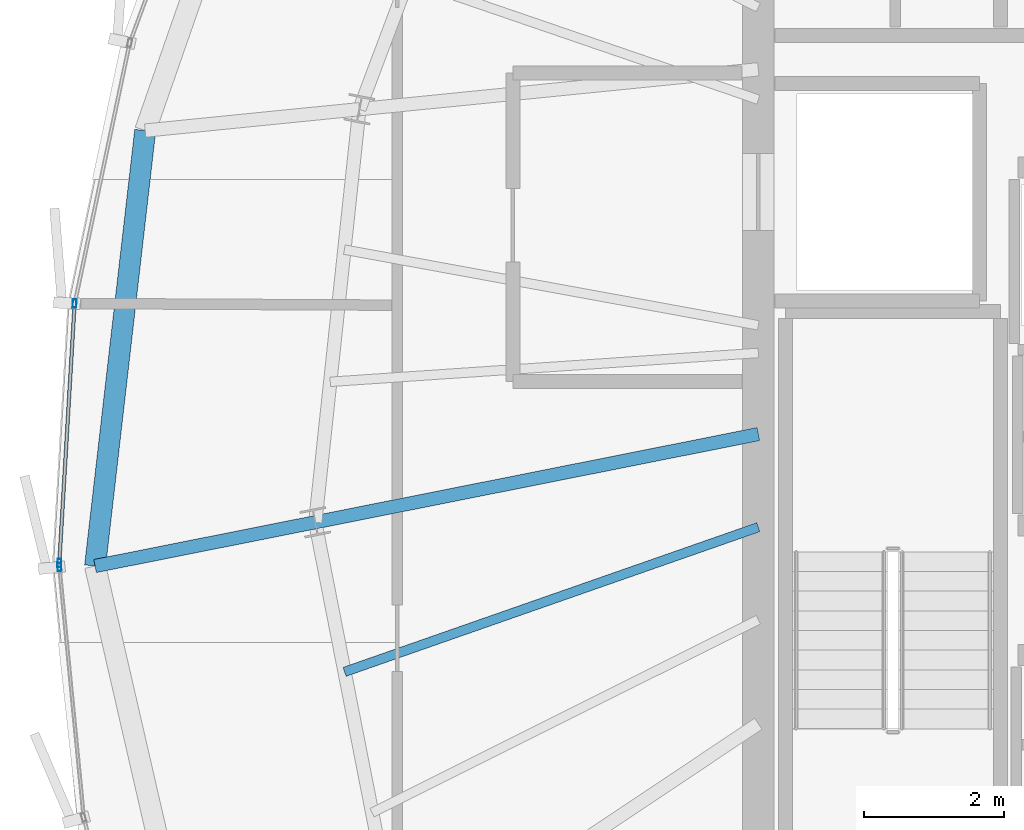
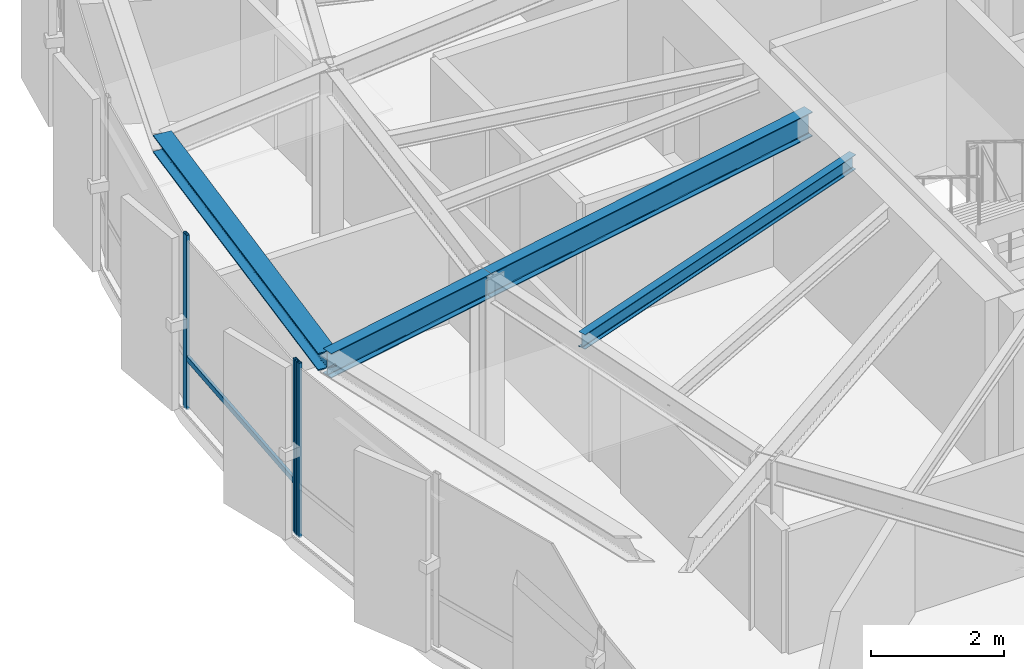
# One storey, part 9 of 30: 4 beams, 4 members, 2 elements without a shape of their own.
"""IFC4 building model written with IfcOpenShell, lengths in metres."""

from ifc_helpers import new_model, si_unit, direction, frame, origin, origin_2d, place, context, subcontext, project, spatial, hollow_rectangle, i_section, extrude, source, transform, mapped, material, layer, layer_set, material_profile, profile_set, type_object, element, aggregate, save


model = new_model("IFC4")

# Units and contexts
model_context = context("Model", 3, precision=1e-05, world=origin(), true_north=direction((0.0, 1.0)))
body_context = subcontext(model_context, "Body", "Model", "MODEL_VIEW")
ifc_project = project(units=[si_unit("LENGTHUNIT", "METRE"), si_unit("AREAUNIT", "SQUARE_METRE"), si_unit("VOLUMEUNIT", "CUBIC_METRE"), si_unit("PLANEANGLEUNIT", "RADIAN"), si_unit("MASSUNIT", "GRAM", prefix="KILO"), si_unit("THERMODYNAMICTEMPERATUREUNIT", "KELVIN")], contexts=[model_context])

# Site, building, storey
site_placement = place(None, origin())
site = spatial("IfcSite", under=ifc_project, at=site_placement, CompositionType="ELEMENT")
building_placement = place(site_placement, origin())
building = spatial("IfcBuilding", under=site, at=building_placement, Name="Kethvar Cultural Tower", CompositionType="ELEMENT")
storey_placement = place(building_placement, frame((0.0, 0.0, 297.39990234375)))
storey = spatial("IfcBuildingStorey", under=building, at=storey_placement, Name="L79", CompositionType="ELEMENT", Elevation=297.39990234375)

# Beams
ifc_material_1 = material(Name="Steel S355J2", Category="steel")
ifc_material_profile_1 = material_profile(ifc_material_1, i_section(OverallWidth=0.18994140625, OverallDepth=0.449951171875, WebThickness=0.009521484375, FlangeThickness=0.0146484375, FilletRadius=0.02099609375, at=origin_2d()), Name="Steel S355J2 — IPE450")
ifc_profile_set_1 = profile_set([ifc_material_profile_1], Name="Steel S355J2 — IPE450")
beam_type_1 = type_object("IfcBeamType", Name="BM-IPE450", PredefinedType="BEAM", material=ifc_profile_set_1)
shared_shape_1 = source(origin(), body_context, "Body", "SweptSolid", [
    extrude(i_section(OverallWidth=0.18994140625, OverallDepth=0.449951171875, WebThickness=0.009521484375, FlangeThickness=0.0146484375, FilletRadius=0.02099609375, at=origin_2d()), origin(), (0.0, 0.0, 1.0), 3.2001953125),
])
beam_1_placement = place(storey_placement, frame((31.68310546875, 24.79296875, 2.983154296875), z_axis=(-0.980788453702, -0.195074368086, 0.0), x_axis=(0.195074368086, -0.980788453702, 0.0)))
element("IfcBeam", 1, at=beam_1_placement, inside=storey, type_object=beam_type_1, Name="L79 Perimeter Cantilever Beam RC-09", PredefinedType="BEAM", context=body_context, shape_type="MappedRepresentation", body=[
    mapped(shared_shape_1, transform((0.0, 0.0, 0.0), scale=1.0)),
])
shared_shape_2 = source(origin(), body_context, "Body", "SweptSolid", [
    extrude(i_section(OverallWidth=0.18994140625, OverallDepth=0.449951171875, WebThickness=0.009521484375, FlangeThickness=0.0146484375, FilletRadius=0.02099609375, at=origin_2d()), origin(), (0.0, 0.0, 1.0), 6.440673828125),
])
beam_2_placement = place(storey_placement, frame((38.0, 26.049560546875, 2.983154296875), z_axis=(-0.980782804096, -0.195102770839, 0.0), x_axis=(0.195102770839, -0.980782804096, 0.0)))
element("IfcBeam", 2, at=beam_2_placement, inside=storey, type_object=beam_type_1, Name="L79 Primary Radial Beam RB-09", PredefinedType="BEAM", context=body_context, shape_type="MappedRepresentation", body=[
    mapped(shared_shape_2, transform((0.0, 0.0, 0.0), scale=1.0)),
])
ifc_material_profile_2 = material_profile(ifc_material_1, i_section(OverallWidth=0.135009765625, OverallDepth=0.27001953125, WebThickness=0.006591796875, FlangeThickness=0.01025390625, FilletRadius=0.014892578125, at=origin_2d()), Name="Steel S355J2 — IPE270")
ifc_profile_set_2 = profile_set([ifc_material_profile_2], Name="Steel S355J2 — IPE270")
beam_type_2 = type_object("IfcBeamType", Name="BM-J270", PredefinedType="JOIST", material=ifc_profile_set_2)
shared_shape_3 = source(origin(), body_context, "Body", "SweptSolid", [
    extrude(i_section(OverallWidth=0.135009765625, OverallDepth=0.27001953125, WebThickness=0.006591796875, FlangeThickness=0.01025390625, FilletRadius=0.014892578125, at=origin_2d()), origin(), (0.0, 0.0, 1.0), 6.248779296875),
])
beam_3_placement = place(storey_placement, frame((38.0, 24.722900390625, 3.072998046875), z_axis=(-0.943960031743, -0.330059780148, 0.0), x_axis=(0.330059780148, -0.943960031743, 0.0)))
element("IfcBeam", 3, at=beam_3_placement, inside=storey, type_object=beam_type_2, Name="L79 Composite Floor Joist J-09A", PredefinedType="JOIST", context=body_context, shape_type="MappedRepresentation", body=[
    mapped(shared_shape_3, transform((0.0, 0.0, 0.0), scale=1.0)),
])
ifc_material_profile_3 = material_profile(ifc_material_1, i_section(OverallWidth=0.300048828125, OverallDepth=0.320068359375, WebThickness=0.011474609375, FlangeThickness=0.0205078125, FilletRadius=0.027099609375, at=origin_2d()), Name="Steel S355J2 — HEB320")
ifc_profile_set_3 = profile_set([ifc_material_profile_3], Name="Steel S355J2 — HEB320")
beam_type_3 = type_object("IfcBeamType", Name="BM-SP320", PredefinedType="SPANDREL", material=ifc_profile_set_3)
shared_shape_4 = source(origin(), body_context, "Body", "SweptSolid", [
    extrude(i_section(OverallWidth=0.300048828125, OverallDepth=0.320068359375, WebThickness=0.011474609375, FlangeThickness=0.0205078125, FilletRadius=0.027099609375, at=origin_2d()), origin(), (0.0, 0.0, 1.0), 6.2490234375),
])
beam_4_placement = place(storey_placement, frame((29.259033203125, 30.376708984375, 3.048095703125), z_axis=(-0.114354215726, -0.993440040136, 0.0), x_axis=(0.993440040136, -0.114354215726, 0.0)))
element("IfcBeam", 4, at=beam_4_placement, inside=storey, type_object=beam_type_3, Name="L79 Perimeter Spandrel Beam SP-08", PredefinedType="SPANDREL", context=body_context, shape_type="MappedRepresentation", body=[
    mapped(shared_shape_4, transform((0.0, 0.0, 0.0), scale=1.0)),
])

# Curtain wall, members
ifc_material_2 = material(Name="Aluminium 6063-T6", Category="aluminium")
ifc_layer = layer(ifc_material_2, 0.179931640625, Name="Aluminium 6063-T6", Category="aluminium")
ifc_layer_set = layer_set([ifc_layer], Name="Aluminium 6063-T6 (180 mm)")
curtain_wall_type = type_object("IfcCurtainWallType", Name="CW-SYS-05-Z56", PredefinedType="NOTDEFINED", material=ifc_layer_set)
curtain_wall_1_placement = place(storey_placement, origin())
curtain_wall_1 = element("IfcCurtainWall", 5, at=curtain_wall_1_placement, inside=storey, type_object=curtain_wall_type, Name="L79 Curtain Wall Run 02", PredefinedType="NOTDEFINED")
ifc_material_profile_4 = material_profile(ifc_material_2, hollow_rectangle(XDim=0.054931640625, YDim=0.1201171875, WallThickness=0.00390625, at=origin_2d()), Name="Aluminium 6063-T6 — RHS120x55x4")
ifc_profile_set_4 = profile_set([ifc_material_profile_4], Name="Aluminium 6063-T6 — RHS120x55x4")
member_type_1 = type_object("IfcMemberType", Name="CW-SYS-05-Z56-MUL", PredefinedType="MULLION", material=ifc_profile_set_4)
shared_shape_5 = source(origin(), body_context, "Body", "SweptSolid", [
    extrude(hollow_rectangle(XDim=0.054931640625, YDim=0.1201171875, WallThickness=0.00390625, at=origin_2d()), origin(), (0.0, 0.0, 1.0), 3.210205078125),
])
member_1_placement = place(storey_placement, frame((28.2529296875, 27.9111328125, 0.0), z_axis=(0.0, 0.0, 1.0), x_axis=(0.998260468937, -0.058957918535, 0.0)))
member_1 = element("IfcMember", 6, at=member_1_placement, type_object=member_type_1, Name="CW-L79-R02 Mullion 6", PredefinedType="MULLION", context=body_context, shape_type="MappedRepresentation", body=[
    mapped(shared_shape_5, transform((0.0, 0.0, 0.0), scale=1.0)),
])
member_2_placement = place(storey_placement, frame((28.034423828125, 24.21142578125, 0.0), z_axis=(0.0, 0.0, 1.0), x_axis=(0.998260468937, -0.058957918535, 0.0)))
member_2 = element("IfcMember", 7, at=member_2_placement, type_object=member_type_1, Name="CW-L79-R02 Mullion 7", PredefinedType="MULLION", context=body_context, shape_type="MappedRepresentation", body=[
    mapped(shared_shape_5, transform((0.0, 0.0, 0.0), scale=1.0)),
])

# Curtain wall, member
curtain_wall_2_placement = place(storey_placement, origin())
curtain_wall_2 = element("IfcCurtainWall", 8, at=curtain_wall_2_placement, inside=storey, type_object=curtain_wall_type, Name="L79 Curtain Wall Run 03", PredefinedType="NOTDEFINED")
member_3_placement = place(storey_placement, frame((28.035400390625, 24.15576171875, 0.0), z_axis=(0.0, 0.0, 1.0), x_axis=(0.995300354845, 0.096835962566, 0.0)))
member_3 = element("IfcMember", 9, at=member_3_placement, type_object=member_type_1, Name="CW-L79-R03 Mullion 1", PredefinedType="MULLION", context=body_context, shape_type="MappedRepresentation", body=[
    mapped(shared_shape_5, transform((0.0, 0.0, 0.0), scale=1.0)),
])
aggregate(curtain_wall_2, [member_3])

# Member
ifc_material_profile_5 = material_profile(ifc_material_2, hollow_rectangle(XDim=0.050048828125, YDim=0.10009765625, WallThickness=0.00390625, at=origin_2d()), Name="Aluminium 6063-T6 — RHS100x50x4")
ifc_profile_set_5 = profile_set([ifc_material_profile_5], Name="Aluminium 6063-T6 — RHS100x50x4")
member_type_2 = type_object("IfcMemberType", Name="CW-SYS-05-Z56-TRN", PredefinedType="USERDEFINED", material=ifc_profile_set_5)
shared_shape_6 = source(origin(), body_context, "Body", "SweptSolid", [
    extrude(hollow_rectangle(XDim=0.050048828125, YDim=0.10009765625, WallThickness=0.00390625, at=origin_2d()), origin(), (0.0, 0.0, 1.0), 3.662841796875),
])
member_4_placement = place(storey_placement, frame((28.25048828125, 27.87158203125, 0.9501953125), z_axis=(-0.058921290398, -0.998262631544, 0.0), x_axis=(0.998262631544, -0.058921290398, 0.0)))
member_4 = element("IfcMember", 10, at=member_4_placement, type_object=member_type_2, Name="CW-L79-R02 Transom 6", ObjectType="TRANSOM", PredefinedType="USERDEFINED", context=body_context, shape_type="MappedRepresentation", body=[
    mapped(shared_shape_6, transform((0.0, 0.0, 0.0), scale=1.0)),
])

aggregate(curtain_wall_1, [member_1, member_2, member_4])

save(model, "model.ifc")
